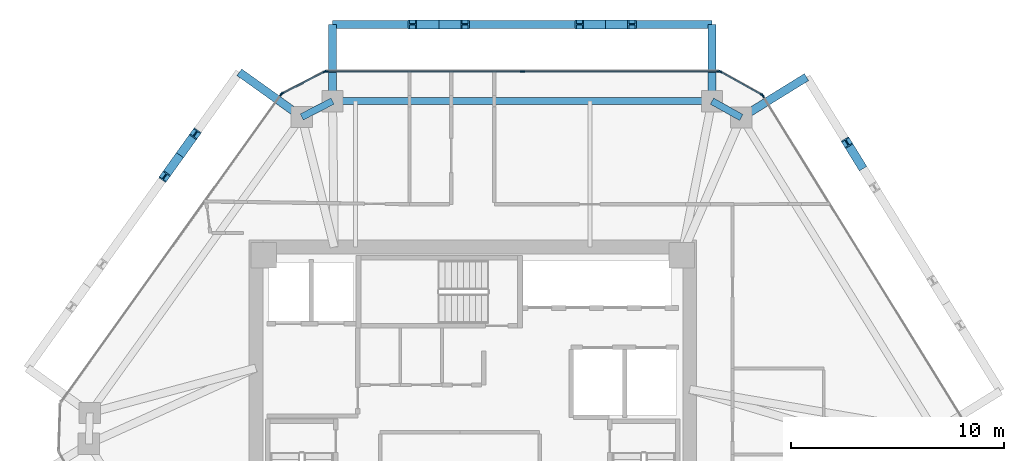
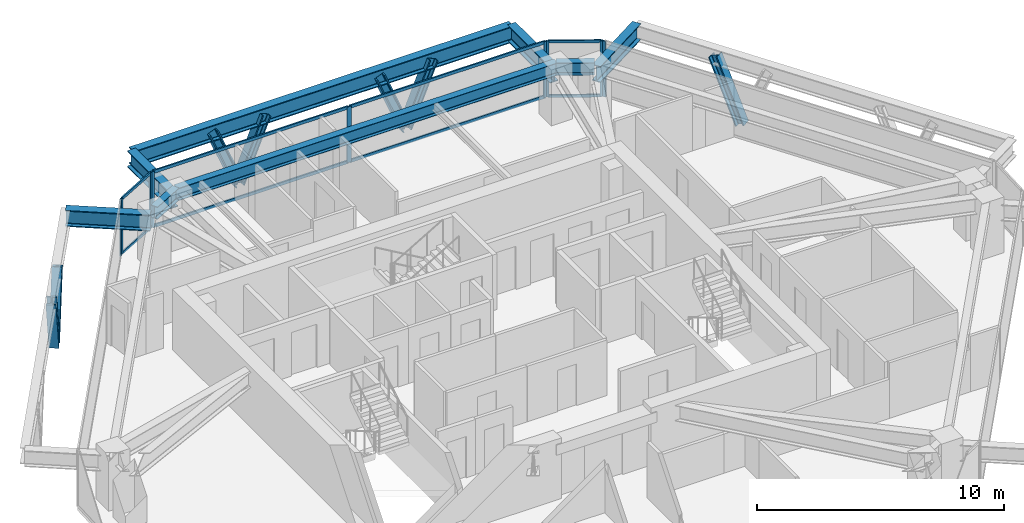
# One storey, part 6 of 12: 24 members, 8 beams, 5 elements without a shape of their own.
"""IFC4 building model written with IfcOpenShell, lengths in metres."""

from ifc_helpers import new_model, si_unit, direction, frame, origin, origin_2d, place, context, subcontext, project, spatial, rectangle, i_section, extrude, source, transform, mapped, material, layer, layer_set, material_profile, profile_set, type_object, type_shapes, element, aggregate, save


model = new_model("IFC4")

# Units and contexts
model_context = context("Model", 3, precision=1e-05, world=origin(), true_north=direction((0.0, 1.0)))
body_context = subcontext(model_context, "Body", "Model", "MODEL_VIEW")
ifc_project = project(units=[si_unit("LENGTHUNIT", "METRE"), si_unit("AREAUNIT", "SQUARE_METRE"), si_unit("VOLUMEUNIT", "CUBIC_METRE"), si_unit("PLANEANGLEUNIT", "RADIAN"), si_unit("MASSUNIT", "GRAM", prefix="KILO")], contexts=[model_context])

# Site, building, storey
site_placement = place(None, origin())
site = spatial("IfcSite", under=ifc_project, at=site_placement, CompositionType="ELEMENT")
building_placement = place(site_placement, origin())
building = spatial("IfcBuilding", under=site, at=building_placement, Name="Durnholm Broadcast Tower", CompositionType="ELEMENT")
storey_placement = place(building_placement, frame((0.0, 0.0, 203.199951171875)))
storey = spatial("IfcBuildingStorey", under=building, at=storey_placement, Name="L56", CompositionType="ELEMENT", Elevation=203.199951171875)

# Beams
ifc_material_1 = material(Name="Steel ASTM A992 Grade 50", Category="steel")
ifc_material_profile_1 = material_profile(ifc_material_1, i_section(OverallWidth=0.385009765625, OverallDepth=0.802978515625, WebThickness=0.023681640625, FlangeThickness=0.0419921875, FilletRadius=0.032958984375, at=origin_2d()), Name="W30X261")
ifc_profile_set_1 = profile_set([ifc_material_profile_1], Name="Steel ASTM A992 Grade 50")
beam_type_1 = type_object("IfcBeamType", Name="BM-EXO-TIE", PredefinedType="USERDEFINED", material=ifc_profile_set_1)
shared_shape_1 = source(origin(), body_context, "Body", "SweptSolid", [
    extrude(i_section(OverallWidth=0.385009765625, OverallDepth=0.802978515625, WebThickness=0.023681640625, FlangeThickness=0.0419921875, FilletRadius=0.032958984375, at=origin_2d()), origin(), (0.0, 0.0, 1.0), 3.4560546875),
])
for number, where, z_axis, x_axis, name in (
    (1, (12.713134765625, 14.327880859375, 2.008544921875), (0.850662348375, 0.525712439512, 0.0), (-0.525712439512, 0.850662348375, 0.0), "L56 exoskeleton stand-off tie bracket F3.2"),
    (2, (-8.138916015625, 14.360107421875, 2.008544921875), (-0.813079048773, 0.582153296346, 0.0), (-0.582153296346, -0.813079048773, 0.0), "L56 exoskeleton stand-off tie bracket F5.1"),
):
    element("IfcBeam", number, at=place(storey_placement, frame(where, z_axis=z_axis, x_axis=x_axis)), inside=storey, type_object=beam_type_1, Name=name, ObjectType="GIRDER", PredefinedType="USERDEFINED", context=body_context, shape_type="MappedRepresentation", body=[
        mapped(shared_shape_1, transform((0.0, 0.0, 0.0), x_axis=(1.0, 0.0, 0.0), y_axis=(0.0, 1.0, 0.0), z_axis=(0.0, 0.0, 1.0), scale=1.0)),
    ])
shared_shape_2 = source(origin(), body_context, "Body", "SweptSolid", [
    extrude(i_section(OverallWidth=0.385009765625, OverallDepth=0.802978515625, WebThickness=0.023681640625, FlangeThickness=0.0419921875, FilletRadius=0.032958984375, at=origin_2d()), origin(), (0.0, 0.0, 1.0), 3.455810546875),
])
for number, where, z_axis, x_axis, name in (
    (3, (11.217529296875, 15.162109375, 2.008544921875), (0.0, 1.0, 0.0), (-1.0, 0.0, 0.0), "L56 exoskeleton stand-off tie bracket F4.1"),
    (4, (-6.57861328125, 15.162109375, 2.008544921875), (0.0, 1.0, 0.0), (-1.0, 0.0, 0.0), "L56 exoskeleton stand-off tie bracket F4.2"),
):
    element("IfcBeam", number, at=place(storey_placement, frame(where, z_axis=z_axis, x_axis=x_axis)), inside=storey, type_object=beam_type_1, Name=name, ObjectType="GIRDER", PredefinedType="USERDEFINED", context=body_context, shape_type="MappedRepresentation", body=[
        mapped(shared_shape_2, transform((0.0, 0.0, 0.0), x_axis=(1.0, 0.0, 0.0), y_axis=(0.0, 1.0, 0.0), z_axis=(0.0, 0.0, 1.0), scale=1.0)),
    ])
ifc_material_profile_2 = material_profile(ifc_material_1, i_section(OverallWidth=0.3251953125, OverallDepth=0.6162109375, WebThickness=0.013916015625, FlangeThickness=0.021484375, FilletRadius=0.02783203125, at=origin_2d()), Name="W24X117")
ifc_profile_set_2 = profile_set([ifc_material_profile_2], Name="Steel ASTM A992 Grade 50")
beam_type_2 = type_object("IfcBeamType", Name="STL-SP-W24X117", PredefinedType="SPANDREL", material=ifc_profile_set_2)
shared_shape_3 = source(origin(), body_context, "Body", "SweptSolid", [
    extrude(i_section(OverallWidth=0.3251953125, OverallDepth=0.6162109375, WebThickness=0.013916015625, FlangeThickness=0.021484375, FilletRadius=0.02783203125, at=origin_2d()), origin(), (0.0, 0.0, 1.0), 1.62255859375),
])
beam_1_placement = place(storey_placement, frame((-8.021728515625, 14.2763671875, 2.43701171875), z_axis=(0.889406668864, 0.45711680934, 0.0), x_axis=(-0.45711680934, 0.889406668864, 0.0)))
element("IfcBeam", 5, at=beam_1_placement, inside=storey, type_object=beam_type_2, Name="L56 perimeter spandrel girder 04", PredefinedType="SPANDREL", context=body_context, shape_type="MappedRepresentation", body=[
    mapped(shared_shape_3, transform((0.0, 0.0, 0.0), x_axis=(1.0, 0.0, 0.0), y_axis=(0.0, 1.0, 0.0), z_axis=(0.0, 0.0, 1.0), scale=1.0)),
])
shared_shape_4 = source(origin(), body_context, "Body", "SweptSolid", [
    extrude(i_section(OverallWidth=0.3251953125, OverallDepth=0.6162109375, WebThickness=0.013916015625, FlangeThickness=0.021484375, FilletRadius=0.02783203125, at=origin_2d()), origin(), (0.0, 0.0, 1.0), 17.796142578125),
])
beam_2_placement = place(storey_placement, frame((-6.57861328125, 15.01806640625, 2.43701171875), z_axis=(1.0, 0.0, 0.0), x_axis=(0.0, 1.0, 0.0)))
element("IfcBeam", 6, at=beam_2_placement, inside=storey, type_object=beam_type_2, Name="L56 perimeter spandrel girder 05", PredefinedType="SPANDREL", context=body_context, shape_type="MappedRepresentation", body=[
    mapped(shared_shape_4, transform((0.0, 0.0, 0.0), x_axis=(1.0, 0.0, 0.0), y_axis=(0.0, 1.0, 0.0), z_axis=(0.0, 0.0, 1.0), scale=1.0)),
])
shared_shape_5 = source(origin(), body_context, "Body", "SweptSolid", [
    extrude(i_section(OverallWidth=0.3251953125, OverallDepth=0.6162109375, WebThickness=0.013916015625, FlangeThickness=0.021484375, FilletRadius=0.02783203125, at=origin_2d()), origin(), (0.0, 0.0, 1.0), 1.572509765625),
])
type_shapes(beam_type_2, [shared_shape_3, shared_shape_4, shared_shape_5])
beam_3_placement = place(storey_placement, frame((11.217529296875, 15.01806640625, 2.43701171875), z_axis=(0.873365144476, -0.487066037017, 0.0), x_axis=(0.487066037017, 0.873365144476, 0.0)))
element("IfcBeam", 7, at=beam_3_placement, inside=storey, type_object=beam_type_2, Name="L56 perimeter spandrel girder 06", PredefinedType="SPANDREL", context=body_context, shape_type="MappedRepresentation", body=[
    mapped(shared_shape_5, transform((0.0, 0.0, 0.0), x_axis=(1.0, 0.0, 0.0), y_axis=(0.0, 1.0, 0.0), z_axis=(0.0, 0.0, 1.0), scale=1.0)),
])
shared_shape_6 = source(origin(), body_context, "Body", "SweptSolid", [
    extrude(i_section(OverallWidth=0.385009765625, OverallDepth=0.802978515625, WebThickness=0.023681640625, FlangeThickness=0.0419921875, FilletRadius=0.032958984375, at=origin_2d()), origin(), (0.0, 0.0, 1.0), 17.796142578125),
])
type_shapes(beam_type_1, [shared_shape_1, shared_shape_2, shared_shape_6])
beam_4_placement = place(storey_placement, frame((11.217529296875, 18.617919921875, 2.008544921875), z_axis=(-1.0, 0.0, 0.0), x_axis=(0.0, -1.0, 0.0)))
element("IfcBeam", 8, at=beam_4_placement, inside=storey, type_object=beam_type_1, Name="L56 exoskeleton collector spandrel F4", PredefinedType="SPANDREL", context=body_context, shape_type="MappedRepresentation", body=[
    mapped(shared_shape_6, transform((0.0, 0.0, 0.0), x_axis=(1.0, 0.0, 0.0), y_axis=(0.0, 1.0, 0.0), z_axis=(0.0, 0.0, 1.0), scale=1.0)),
])

# Members
ifc_material_2 = material(Name="Steel ASTM A913 Grade 65", Category="steel")
ifc_material_profile_3 = material_profile(ifc_material_2, i_section(OverallWidth=0.412109375, OverallDepth=0.434814453125, WebThickness=0.035888671875, FlangeThickness=0.057373046875, FilletRadius=0.030517578125, at=origin_2d()), Name="W14X311")
ifc_profile_set_3 = profile_set([ifc_material_profile_3], Name="Steel ASTM A913 Grade 65")
member_type_1 = type_object("IfcMemberType", Name="STL-DG-W14X311", PredefinedType="BRACE", material=ifc_profile_set_3)
shared_shape_7 = source(origin(), body_context, "Body", "SweptSolid", [
    extrude(i_section(OverallWidth=0.412109375, OverallDepth=0.434814453125, WebThickness=0.035888671875, FlangeThickness=0.057373046875, FilletRadius=0.030517578125, at=origin_2d()), origin(), (0.0, 0.0, 1.0), 3.243896484375),
])
type_shapes(member_type_1, [shared_shape_7])
for number, where, z_axis, x_axis, name in (
    (9, (18.2001953125, 12.023193359375, -0.991455078125), (-0.199969768525, 0.323624390162, 0.924813141001), (-0.850699125742, -0.525652924906, 0.0), "L56 stand-off diagrid brace F3.D2.2"),
    (10, (6.234619140625, 18.617919921875, -0.991455078125), (0.380378804119, 0.0, 0.924830776616), (0.0, 1.0, 0.0), "L56 stand-off diagrid brace F4.D1.1"),
    (11, (6.234619140625, 18.617919921875, -0.991455078125), (-0.380378804119, 0.0, 0.924830776616), (0.0, -1.0, 0.0), "L56 stand-off diagrid brace F4.D1.2"),
    (12, (-1.595703125, 18.617919921875, -0.991455078125), (0.380378804119, 0.0, 0.924830776616), (0.0, 1.0, 0.0), "L56 stand-off diagrid brace F4.D2.1"),
    (13, (-1.595703125, 18.617919921875, -0.991455078125), (-0.380378804119, 0.0, 0.924830776616), (0.0, -1.0, 0.0), "L56 stand-off diagrid brace F4.D2.2"),
    (14, (-13.731689453125, 12.485595703125, -0.991455078125), (0.22142581661, 0.309258558956, 0.92484039242), (-0.813077820009, 0.582155012526, 0.0), "L56 stand-off diagrid brace F5.D1.1"),
    (15, (-13.731689453125, 12.485595703125, -0.991455078125), (-0.22142581661, -0.309258558956, 0.92484039242), (0.813077820009, -0.582155012526, 0.0), "L56 stand-off diagrid brace F5.D1.2"),
):
    element("IfcMember", number, at=place(storey_placement, frame(where, z_axis=z_axis, x_axis=x_axis)), inside=storey, type_object=member_type_1, Name=name, PredefinedType="BRACE", context=body_context, shape_type="MappedRepresentation", body=[
        mapped(shared_shape_7, transform((0.0, 0.0, 0.0), x_axis=(1.0, 0.0, 0.0), y_axis=(0.0, 1.0, 0.0), z_axis=(0.0, 0.0, 1.0), scale=1.0)),
    ])

# Curtain wall, members
ifc_material_3 = material(Name="Aluminium and Solar Control IGU", Category="aluminium")
ifc_layer_1 = layer(ifc_material_3, 0.1650390625)
ifc_layer_set_1 = layer_set([ifc_layer_1], Name="Aluminium and Solar Control IGU")
curtain_wall_type_1 = type_object("IfcCurtainWallType", Name="CW-SYS-5", PredefinedType="NOTDEFINED", material=ifc_layer_set_1)
curtain_wall_1_placement = place(storey_placement, origin())
curtain_wall_1 = element("IfcCurtainWall", 16, at=curtain_wall_1_placement, inside=storey, type_object=curtain_wall_type_1, Name="L56 curtain wall CW-CORNER CW-L56-CRN-03", PredefinedType="NOTDEFINED")
ifc_material_4 = material(Name="Aluminium 6063-T6", Category="aluminium")
ifc_material_profile_4 = material_profile(ifc_material_4, rectangle(XDim=0.06494140625, YDim=0.1650390625, at=origin_2d()), Name="CWM65X165")
ifc_profile_set_4 = profile_set([ifc_material_profile_4], Name="Aluminium 6063-T6")
member_type_2 = type_object("IfcMemberType", Name="CW-SYS-5-MUL", PredefinedType="MULLION", material=ifc_profile_set_4)
shared_shape_8 = source(origin(), body_context, "Body", "SweptSolid", [
    extrude(rectangle(XDim=0.06494140625, YDim=0.1650390625, at=origin_2d()), origin(), (0.0, 0.0, 1.0), 2.760009765625),
])
type_shapes(member_type_2, [shared_shape_8])
member_1_placement = place(storey_placement, frame((-8.93408203125, 15.381591796875, 0.0), z_axis=(0.0, 0.0, 1.0), x_axis=(-0.457081764476, 0.889424679545, 0.0)))
member_1 = element("IfcMember", 17, at=member_1_placement, type_object=member_type_2, Name="CW-CORNER mullion 1", PredefinedType="MULLION", context=body_context, shape_type="MappedRepresentation", body=[
    mapped(shared_shape_8, transform((0.0, 0.0, 0.0), x_axis=(1.0, 0.0, 0.0), y_axis=(0.0, 1.0, 0.0), z_axis=(0.0, 0.0, 1.0), scale=1.0)),
])
member_2_placement = place(storey_placement, frame((-6.9462890625, 16.403076171875, 0.0), z_axis=(0.0, 0.0, 1.0), x_axis=(-0.457081764476, 0.889424679545, 0.0)))
member_2 = element("IfcMember", 18, at=member_2_placement, type_object=member_type_2, Name="CW-CORNER mullion 2", PredefinedType="MULLION", context=body_context, shape_type="MappedRepresentation", body=[
    mapped(shared_shape_8, transform((0.0, 0.0, 0.0), x_axis=(1.0, 0.0, 0.0), y_axis=(0.0, 1.0, 0.0), z_axis=(0.0, 0.0, 1.0), scale=1.0)),
])

curtain_wall_2_placement = place(storey_placement, origin())
curtain_wall_2 = element("IfcCurtainWall", 19, at=curtain_wall_2_placement, inside=storey, type_object=curtain_wall_type_1, Name="L56 curtain wall CW-CORNER CW-L56-CRN-05", PredefinedType="NOTDEFINED")
member_3_placement = place(storey_placement, frame((11.60986328125, 16.402099609375, 0.0), z_axis=(0.0, 0.0, 1.0), x_axis=(0.486986043316, 0.873409751271, 0.0)))
member_3 = element("IfcMember", 20, at=member_3_placement, type_object=member_type_2, Name="CW-CORNER mullion 1", PredefinedType="MULLION", context=body_context, shape_type="MappedRepresentation", body=[
    mapped(shared_shape_8, transform((0.0, 0.0, 0.0), x_axis=(1.0, 0.0, 0.0), y_axis=(0.0, 1.0, 0.0), z_axis=(0.0, 0.0, 1.0), scale=1.0)),
])
member_4_placement = place(storey_placement, frame((13.56201171875, 15.313720703125, 0.0), z_axis=(0.0, 0.0, 1.0), x_axis=(0.486986043316, 0.873409751271, 0.0)))
member_4 = element("IfcMember", 21, at=member_4_placement, type_object=member_type_2, Name="CW-CORNER mullion 2", PredefinedType="MULLION", context=body_context, shape_type="MappedRepresentation", body=[
    mapped(shared_shape_8, transform((0.0, 0.0, 0.0), x_axis=(1.0, 0.0, 0.0), y_axis=(0.0, 1.0, 0.0), z_axis=(0.0, 0.0, 1.0), scale=1.0)),
])

# Member
ifc_material_profile_5 = material_profile(ifc_material_4, rectangle(XDim=0.06494140625, YDim=0.1298828125, at=origin_2d()), Name="CWT65X130")
ifc_profile_set_5 = profile_set([ifc_material_profile_5], Name="Aluminium 6063-T6")
member_type_3 = type_object("IfcMemberType", Name="CW-SYS-5-TRN", PredefinedType="USERDEFINED", material=ifc_profile_set_5)
shared_shape_9 = source(origin(), body_context, "Body", "SweptSolid", [
    extrude(rectangle(XDim=0.06494140625, YDim=0.1298828125, at=origin_2d()), origin(), (0.0, 0.0, 1.0), 2.169921875),
])
type_shapes(member_type_3, [shared_shape_9])
member_5_placement = place(storey_placement, frame((-8.9052734375, 15.396484375, 0.032470703125), z_axis=(0.889468148591, 0.456997169185, 0.0), x_axis=(-0.456997169185, 0.889468148591, 0.0)))
member_5 = element("IfcMember", 22, at=member_5_placement, type_object=member_type_3, Name="CW-CORNER transom 1.1", ObjectType="TRANSOM", PredefinedType="USERDEFINED", context=body_context, shape_type="MappedRepresentation", body=[
    mapped(shared_shape_9, transform((0.0, 0.0, 0.0), x_axis=(1.0, 0.0, 0.0), y_axis=(0.0, 1.0, 0.0), z_axis=(0.0, 0.0, 1.0), scale=1.0)),
])

member_6_placement = place(storey_placement, frame((-8.9052734375, 15.396484375, 2.7275390625), z_axis=(0.889468148591, 0.456997169185, 0.0), x_axis=(-0.456997169185, 0.889468148591, 0.0)))
member_6 = element("IfcMember", 23, at=member_6_placement, type_object=member_type_3, Name="CW-CORNER transom 1.2", ObjectType="TRANSOM", PredefinedType="USERDEFINED", context=body_context, shape_type="MappedRepresentation", body=[
    mapped(shared_shape_9, transform((0.0, 0.0, 0.0), x_axis=(1.0, 0.0, 0.0), y_axis=(0.0, 1.0, 0.0), z_axis=(0.0, 0.0, 1.0), scale=1.0)),
])

aggregate(curtain_wall_1, [member_1, member_2, member_5, member_6])

member_7_placement = place(storey_placement, frame((11.63818359375, 16.38623046875, 0.032470703125), z_axis=(0.873429215361, -0.48695113282, 0.0), x_axis=(0.48695113282, 0.873429215361, 0.0)))
member_7 = element("IfcMember", 24, at=member_7_placement, type_object=member_type_3, Name="CW-CORNER transom 1.1", ObjectType="TRANSOM", PredefinedType="USERDEFINED", context=body_context, shape_type="MappedRepresentation", body=[
    mapped(shared_shape_9, transform((0.0, 0.0, 0.0), x_axis=(1.0, 0.0, 0.0), y_axis=(0.0, 1.0, 0.0), z_axis=(0.0, 0.0, 1.0), scale=1.0)),
])

member_8_placement = place(storey_placement, frame((11.63818359375, 16.38623046875, 2.7275390625), z_axis=(0.873429215361, -0.48695113282, 0.0), x_axis=(0.48695113282, 0.873429215361, 0.0)))
member_8 = element("IfcMember", 25, at=member_8_placement, type_object=member_type_3, Name="CW-CORNER transom 1.2", ObjectType="TRANSOM", PredefinedType="USERDEFINED", context=body_context, shape_type="MappedRepresentation", body=[
    mapped(shared_shape_9, transform((0.0, 0.0, 0.0), x_axis=(1.0, 0.0, 0.0), y_axis=(0.0, 1.0, 0.0), z_axis=(0.0, 0.0, 1.0), scale=1.0)),
])

aggregate(curtain_wall_2, [member_3, member_4, member_7, member_8])

# Curtain wall, members
ifc_layer_2 = layer(ifc_material_3, 0.18994140625)
ifc_layer_set_2 = layer_set([ifc_layer_2], Name="Aluminium and Solar Control IGU")
curtain_wall_type_2 = type_object("IfcCurtainWallType", Name="CW-SYS-4", PredefinedType="NOTDEFINED", material=ifc_layer_set_2)
curtain_wall_3_placement = place(storey_placement, origin())
curtain_wall_3 = element("IfcCurtainWall", 26, at=curtain_wall_3_placement, inside=storey, type_object=curtain_wall_type_2, Name="L56 curtain wall CW-Z34-VIS CW-L56-F04", PredefinedType="NOTDEFINED")
ifc_material_profile_6 = material_profile(ifc_material_4, rectangle(XDim=0.070068359375, YDim=0.14990234375, at=origin_2d()), Name="CWT70X150")
ifc_profile_set_6 = profile_set([ifc_material_profile_6], Name="Aluminium 6063-T6")
member_type_4 = type_object("IfcMemberType", Name="CW-SYS-4-TRN", PredefinedType="USERDEFINED", material=ifc_profile_set_6)
shared_shape_10 = source(origin(), body_context, "Body", "SweptSolid", [
    extrude(rectangle(XDim=0.070068359375, YDim=0.14990234375, at=origin_2d()), origin(), (0.0, 0.0, 1.0), 9.14453125),
])
type_shapes(member_type_4, [shared_shape_10])
member_9_placement = place(storey_placement, frame((-6.847412109375, 16.41796875, 0.03515625), z_axis=(1.0, 0.0, 0.0), x_axis=(0.0, 1.0, 0.0)))
member_9 = element("IfcMember", 27, at=member_9_placement, type_object=member_type_4, Name="CW-Z34-VIS transom 1.1", ObjectType="TRANSOM", PredefinedType="USERDEFINED", context=body_context, shape_type="MappedRepresentation", body=[
    mapped(shared_shape_10, transform((0.0, 0.0, 0.0), x_axis=(1.0, 0.0, 0.0), y_axis=(0.0, 1.0, 0.0), z_axis=(0.0, 0.0, 1.0), scale=1.0)),
])
member_10_placement = place(storey_placement, frame((-6.847412109375, 16.41796875, 2.72509765625), z_axis=(1.0, 0.0, 0.0), x_axis=(0.0, 1.0, 0.0)))
member_10 = element("IfcMember", 28, at=member_10_placement, type_object=member_type_4, Name="CW-Z34-VIS transom 1.2", ObjectType="TRANSOM", PredefinedType="USERDEFINED", context=body_context, shape_type="MappedRepresentation", body=[
    mapped(shared_shape_10, transform((0.0, 0.0, 0.0), x_axis=(1.0, 0.0, 0.0), y_axis=(0.0, 1.0, 0.0), z_axis=(0.0, 0.0, 1.0), scale=1.0)),
])
member_11_placement = place(storey_placement, frame((2.366943359375, 16.41796875, 0.03515625), z_axis=(1.0, 0.0, 0.0), x_axis=(0.0, 1.0, 0.0)))
member_11 = element("IfcMember", 29, at=member_11_placement, type_object=member_type_4, Name="CW-Z34-VIS transom 2.1", ObjectType="TRANSOM", PredefinedType="USERDEFINED", context=body_context, shape_type="MappedRepresentation", body=[
    mapped(shared_shape_10, transform((0.0, 0.0, 0.0), x_axis=(1.0, 0.0, 0.0), y_axis=(0.0, 1.0, 0.0), z_axis=(0.0, 0.0, 1.0), scale=1.0)),
])
member_12_placement = place(storey_placement, frame((2.366943359375, 16.41796875, 2.72509765625), z_axis=(1.0, 0.0, 0.0), x_axis=(0.0, 1.0, 0.0)))
member_12 = element("IfcMember", 30, at=member_12_placement, type_object=member_type_4, Name="CW-Z34-VIS transom 2.2", ObjectType="TRANSOM", PredefinedType="USERDEFINED", context=body_context, shape_type="MappedRepresentation", body=[
    mapped(shared_shape_10, transform((0.0, 0.0, 0.0), x_axis=(1.0, 0.0, 0.0), y_axis=(0.0, 1.0, 0.0), z_axis=(0.0, 0.0, 1.0), scale=1.0)),
])

# Curtain wall, member
curtain_wall_4_placement = place(storey_placement, origin())
curtain_wall_4 = element("IfcCurtainWall", 31, at=curtain_wall_4_placement, inside=storey, type_object=curtain_wall_type_2, Name="L56 curtain wall CW-Z34-VIS CW-L56-F02", PredefinedType="NOTDEFINED")
ifc_material_profile_7 = material_profile(ifc_material_4, rectangle(XDim=0.070068359375, YDim=0.18994140625, at=origin_2d()), Name="CWM70X190")
ifc_profile_set_7 = profile_set([ifc_material_profile_7], Name="Aluminium 6063-T6")
member_type_5 = type_object("IfcMemberType", Name="CW-SYS-4-MUL", PredefinedType="MULLION", material=ifc_profile_set_7)
shared_shape_11 = source(origin(), body_context, "Body", "SweptSolid", [
    extrude(rectangle(XDim=0.070068359375, YDim=0.18994140625, at=origin_2d()), origin(), (0.0, 0.0, 1.0), 2.760009765625),
])
type_shapes(member_type_5, [shared_shape_11])
member_13_placement = place(storey_placement, frame((-8.9833984375, 15.338134765625, 0.0), z_axis=(0.0, 0.0, 1.0), x_axis=(-0.813089262696, 0.582139030549, 0.0)))
member_13 = element("IfcMember", 32, at=member_13_placement, type_object=member_type_5, Name="CW-Z34-VIS mullion 2", PredefinedType="MULLION", context=body_context, shape_type="MappedRepresentation", body=[
    mapped(shared_shape_11, transform((0.0, 0.0, 0.0), x_axis=(1.0, 0.0, 0.0), y_axis=(0.0, 1.0, 0.0), z_axis=(0.0, 0.0, 1.0), scale=1.0)),
])
aggregate(curtain_wall_4, [member_13])

# Member
member_14_placement = place(storey_placement, frame((-6.88232421875, 16.41796875, 0.0), z_axis=(0.0, 0.0, 1.0), x_axis=(0.0, 1.0, 0.0)))
member_14 = element("IfcMember", 33, at=member_14_placement, type_object=member_type_5, Name="CW-Z34-VIS mullion 1", PredefinedType="MULLION", context=body_context, shape_type="MappedRepresentation", body=[
    mapped(shared_shape_11, transform((0.0, 0.0, 0.0), x_axis=(1.0, 0.0, 0.0), y_axis=(0.0, 1.0, 0.0), z_axis=(0.0, 0.0, 1.0), scale=1.0)),
])

member_15_placement = place(storey_placement, frame((2.33203125, 16.41796875, 0.0), z_axis=(0.0, 0.0, 1.0), x_axis=(0.0, 1.0, 0.0)))
member_15 = element("IfcMember", 34, at=member_15_placement, type_object=member_type_5, Name="CW-Z34-VIS mullion 2", PredefinedType="MULLION", context=body_context, shape_type="MappedRepresentation", body=[
    mapped(shared_shape_11, transform((0.0, 0.0, 0.0), x_axis=(1.0, 0.0, 0.0), y_axis=(0.0, 1.0, 0.0), z_axis=(0.0, 0.0, 1.0), scale=1.0)),
])

member_16_placement = place(storey_placement, frame((11.54638671875, 16.41796875, 0.0), z_axis=(0.0, 0.0, 1.0), x_axis=(0.0, 1.0, 0.0)))
member_16 = element("IfcMember", 35, at=member_16_placement, type_object=member_type_5, Name="CW-Z34-VIS mullion 3", PredefinedType="MULLION", context=body_context, shape_type="MappedRepresentation", body=[
    mapped(shared_shape_11, transform((0.0, 0.0, 0.0), x_axis=(1.0, 0.0, 0.0), y_axis=(0.0, 1.0, 0.0), z_axis=(0.0, 0.0, 1.0), scale=1.0)),
])

aggregate(curtain_wall_3, [member_14, member_15, member_16, member_9, member_10, member_11, member_12])

# Curtain wall, member
curtain_wall_5_placement = place(storey_placement, origin())
curtain_wall_5 = element("IfcCurtainWall", 36, at=curtain_wall_5_placement, inside=storey, type_object=curtain_wall_type_2, Name="L56 curtain wall CW-Z34-VIS CW-L56-F06", PredefinedType="NOTDEFINED")
member_17_placement = place(storey_placement, frame((13.608642578125, 15.26806640625, 0.0), z_axis=(0.0, 0.0, 1.0), x_axis=(0.850671426092, 0.525697750452, 0.0)))
member_17 = element("IfcMember", 37, at=member_17_placement, type_object=member_type_5, Name="CW-Z34-VIS mullion 1", PredefinedType="MULLION", context=body_context, shape_type="MappedRepresentation", body=[
    mapped(shared_shape_11, transform((0.0, 0.0, 0.0), x_axis=(1.0, 0.0, 0.0), y_axis=(0.0, 1.0, 0.0), z_axis=(0.0, 0.0, 1.0), scale=1.0)),
])
aggregate(curtain_wall_5, [member_17])

save(model, "model.ifc")
